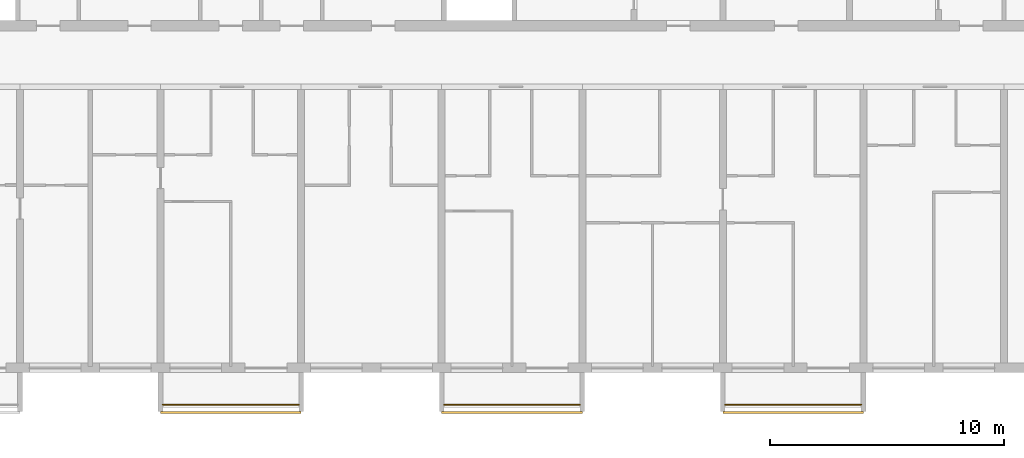
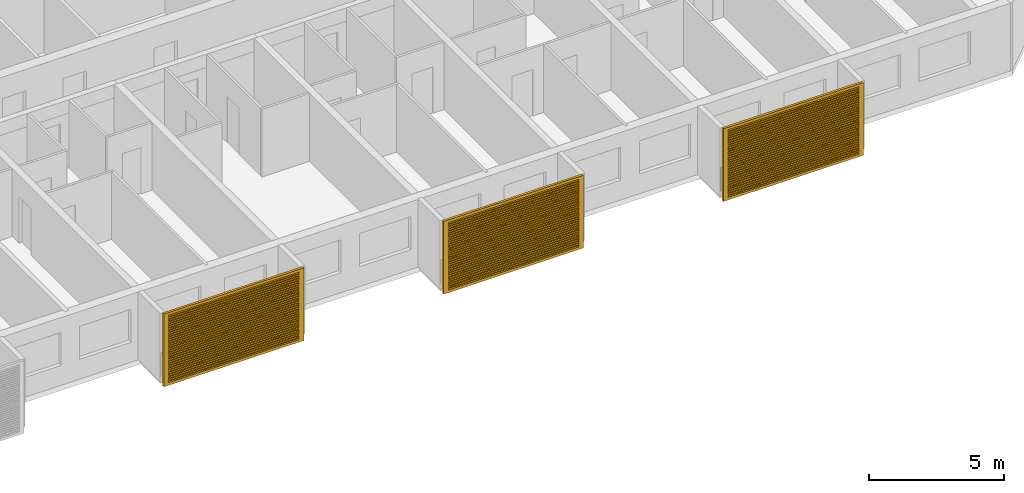
# One storey, part 15 of 32: 3 railings, 3 shading devices.
"""IFC4 building model written with IfcOpenShell, lengths in metres."""

from ifc_helpers import new_model, si_unit, direction, frame, origin, origin_2d, place, context, subcontext, project, spatial, polyline, circle, outline, extrude, source, transform, mapped, material, material_profile, profile_set, type_object, element, save


model = new_model("IFC4")

# Units and contexts
model_context = context("Model", 3, precision=1e-05, world=origin(), true_north=direction((0.0, 1.0)))
body_context = subcontext(model_context, "Body", "Model", "MODEL_VIEW")
ifc_project = project(units=[si_unit("LENGTHUNIT", "METRE"), si_unit("AREAUNIT", "SQUARE_METRE"), si_unit("VOLUMEUNIT", "CUBIC_METRE"), si_unit("PLANEANGLEUNIT", "RADIAN"), si_unit("MASSUNIT", "GRAM", prefix="KILO")], contexts=[model_context])

# Site, building, storey
site_placement = place(None, origin())
site = spatial("IfcSite", under=ifc_project, at=site_placement, CompositionType="ELEMENT")
building_placement = place(site_placement, origin())
building = spatial("IfcBuilding", under=site, at=building_placement, Name="Poui Terraces", CompositionType="ELEMENT")
storey_placement = place(building_placement, frame((0.0, 0.0, 125.699951171875)))
storey = spatial("IfcBuildingStorey", under=building, at=storey_placement, Name="L34", CompositionType="ELEMENT", Elevation=125.699951171875)

# Railings
ifc_material_1 = material(Name="Painted steel fretwork", Category="steel")
railing_type = type_object("IfcRailingType", Name="BALCONY GUARD 1100", PredefinedType="GUARDRAIL", material=ifc_material_1)
for number, where, name in (
    (1, (48.10009765625, -1.570068359375, 0.0), "BALCONY GUARD"),
    (2, (60.10009765625, -1.570068359375, 0.0), "BALCONY GUARD"),
    (3, (72.10009765625, -1.570068359375, 0.0), "BALCONY GUARD"),
):
    element("IfcRailing", number, at=place(storey_placement, frame(where)), inside=storey, type_object=railing_type, Name=name, PredefinedType="GUARDRAIL", context=body_context, shape_type="SweptSolid", body=[
        extrude(circle(Radius=0.02392578125, at=origin_2d()), frame((0.0, 0.0, 1.076171875), z_axis=(1.0, 0.0, 0.0), x_axis=(0.0, 1.0, 0.0)), (0.0, 0.0, 1.0), 5.7998046875),
        extrude(circle(Radius=0.02099609375, at=origin_2d()), origin(), (0.0, 0.0, 1.0), 1.052001953125),
        extrude(circle(Radius=0.02099609375, at=origin_2d()), frame((0.966552734375, 0.0, 0.0)), (0.0, 0.0, 1.0), 1.052001953125),
        extrude(circle(Radius=0.02099609375, at=origin_2d()), frame((1.933349609375, 0.0, 0.0)), (0.0, 0.0, 1.0), 1.052001953125),
        extrude(circle(Radius=0.02099609375, at=origin_2d()), frame((2.89990234375, 0.0, 0.0)), (0.0, 0.0, 1.0), 1.052001953125),
        extrude(circle(Radius=0.02099609375, at=origin_2d()), frame((3.866455078125, 0.0, 0.0)), (0.0, 0.0, 1.0), 1.052001953125),
        extrude(circle(Radius=0.02099609375, at=origin_2d()), frame((4.833251953125, 0.0, 0.0)), (0.0, 0.0, 1.0), 1.052001953125),
        extrude(circle(Radius=0.02099609375, at=origin_2d()), frame((5.7998046875, 0.0, 0.0)), (0.0, 0.0, 1.0), 1.052001953125),
    ])

# Shading devices
ifc_material_2 = material(Name="Aluminium louvre", Category="aluminium")
ifc_material_profile = material_profile(ifc_material_2, outline(polyline([(-3.0, -1.64990234375), (3.0, -1.64990234375), (3.0, 1.64990234375), (-3.0, 1.64990234375), (-3.0, -1.64990234375)]), holes=[polyline([(-2.800048828125, -1.530029296875), (2.800048828125, -1.530029296875), (2.800048828125, -1.469970703125), (-2.800048828125, -1.469970703125), (-2.800048828125, -1.530029296875)]), polyline([(-2.800048828125, -1.429931640625), (2.800048828125, -1.429931640625), (2.800048828125, -1.3701171875), (-2.800048828125, -1.3701171875), (-2.800048828125, -1.429931640625)]), polyline([(-2.800048828125, -1.330078125), (2.800048828125, -1.330078125), (2.800048828125, -1.27001953125), (-2.800048828125, -1.27001953125), (-2.800048828125, -1.330078125)]), polyline([(-2.800048828125, -1.22998046875), (2.800048828125, -1.22998046875), (2.800048828125, -1.169921875), (-2.800048828125, -1.169921875), (-2.800048828125, -1.22998046875)]), polyline([(-2.800048828125, -1.1298828125), (2.800048828125, -1.1298828125), (2.800048828125, -1.070068359375), (-2.800048828125, -1.070068359375), (-2.800048828125, -1.1298828125)]), polyline([(-2.800048828125, -1.030029296875), (2.800048828125, -1.030029296875), (2.800048828125, -0.969970703125), (-2.800048828125, -0.969970703125), (-2.800048828125, -1.030029296875)]), polyline([(-2.800048828125, -0.929931640625), (2.800048828125, -0.929931640625), (2.800048828125, -0.8701171875), (-2.800048828125, -0.8701171875), (-2.800048828125, -0.929931640625)]), polyline([(-2.800048828125, -0.830078125), (2.800048828125, -0.830078125), (2.800048828125, -0.77001953125), (-2.800048828125, -0.77001953125), (-2.800048828125, -0.830078125)]), polyline([(-2.800048828125, -0.72998046875), (2.800048828125, -0.72998046875), (2.800048828125, -0.669921875), (-2.800048828125, -0.669921875), (-2.800048828125, -0.72998046875)]), polyline([(-2.800048828125, -0.6298828125), (2.800048828125, -0.6298828125), (2.800048828125, -0.570068359375), (-2.800048828125, -0.570068359375), (-2.800048828125, -0.6298828125)]), polyline([(-2.800048828125, -0.530029296875), (2.800048828125, -0.530029296875), (2.800048828125, -0.469970703125), (-2.800048828125, -0.469970703125), (-2.800048828125, -0.530029296875)]), polyline([(-2.800048828125, -0.429931640625), (2.800048828125, -0.429931640625), (2.800048828125, -0.3701171875), (-2.800048828125, -0.3701171875), (-2.800048828125, -0.429931640625)]), polyline([(-2.800048828125, -0.330078125), (2.800048828125, -0.330078125), (2.800048828125, -0.27001953125), (-2.800048828125, -0.27001953125), (-2.800048828125, -0.330078125)]), polyline([(-2.800048828125, -0.22998046875), (2.800048828125, -0.22998046875), (2.800048828125, -0.169921875), (-2.800048828125, -0.169921875), (-2.800048828125, -0.22998046875)]), polyline([(-2.800048828125, -0.1298828125), (2.800048828125, -0.1298828125), (2.800048828125, -0.070068359375), (-2.800048828125, -0.070068359375), (-2.800048828125, -0.1298828125)]), polyline([(-2.800048828125, -0.030029296875), (2.800048828125, -0.030029296875), (2.800048828125, 0.030029296875), (-2.800048828125, 0.030029296875), (-2.800048828125, -0.030029296875)]), polyline([(-2.800048828125, 0.070068359375), (2.800048828125, 0.070068359375), (2.800048828125, 0.1298828125), (-2.800048828125, 0.1298828125), (-2.800048828125, 0.070068359375)]), polyline([(-2.800048828125, 0.169921875), (2.800048828125, 0.169921875), (2.800048828125, 0.22998046875), (-2.800048828125, 0.22998046875), (-2.800048828125, 0.169921875)]), polyline([(-2.800048828125, 0.27001953125), (2.800048828125, 0.27001953125), (2.800048828125, 0.330078125), (-2.800048828125, 0.330078125), (-2.800048828125, 0.27001953125)]), polyline([(-2.800048828125, 0.3701171875), (2.800048828125, 0.3701171875), (2.800048828125, 0.429931640625), (-2.800048828125, 0.429931640625), (-2.800048828125, 0.3701171875)]), polyline([(-2.800048828125, 0.469970703125), (2.800048828125, 0.469970703125), (2.800048828125, 0.530029296875), (-2.800048828125, 0.530029296875), (-2.800048828125, 0.469970703125)]), polyline([(-2.800048828125, 0.570068359375), (2.800048828125, 0.570068359375), (2.800048828125, 0.6298828125), (-2.800048828125, 0.6298828125), (-2.800048828125, 0.570068359375)]), polyline([(-2.800048828125, 0.669921875), (2.800048828125, 0.669921875), (2.800048828125, 0.72998046875), (-2.800048828125, 0.72998046875), (-2.800048828125, 0.669921875)]), polyline([(-2.800048828125, 0.77001953125), (2.800048828125, 0.77001953125), (2.800048828125, 0.830078125), (-2.800048828125, 0.830078125), (-2.800048828125, 0.77001953125)]), polyline([(-2.800048828125, 0.8701171875), (2.800048828125, 0.8701171875), (2.800048828125, 0.929931640625), (-2.800048828125, 0.929931640625), (-2.800048828125, 0.8701171875)]), polyline([(-2.800048828125, 0.969970703125), (2.800048828125, 0.969970703125), (2.800048828125, 1.030029296875), (-2.800048828125, 1.030029296875), (-2.800048828125, 0.969970703125)]), polyline([(-2.800048828125, 1.070068359375), (2.800048828125, 1.070068359375), (2.800048828125, 1.1298828125), (-2.800048828125, 1.1298828125), (-2.800048828125, 1.070068359375)]), polyline([(-2.800048828125, 1.169921875), (2.800048828125, 1.169921875), (2.800048828125, 1.22998046875), (-2.800048828125, 1.22998046875), (-2.800048828125, 1.169921875)]), polyline([(-2.800048828125, 1.27001953125), (2.800048828125, 1.27001953125), (2.800048828125, 1.330078125), (-2.800048828125, 1.330078125), (-2.800048828125, 1.27001953125)]), polyline([(-2.800048828125, 1.3701171875), (2.800048828125, 1.3701171875), (2.800048828125, 1.429931640625), (-2.800048828125, 1.429931640625), (-2.800048828125, 1.3701171875)]), polyline([(-2.800048828125, 1.469970703125), (2.800048828125, 1.469970703125), (2.800048828125, 1.530029296875), (-2.800048828125, 1.530029296875), (-2.800048828125, 1.469970703125)])]), Name="JALOUSIE LOUVRE SHUTTER 6000X3300")
ifc_profile_set = profile_set([ifc_material_profile], Name="Aluminium louvre")
shading_device_type = type_object("IfcShadingDeviceType", Name="JALOUSIE LOUVRE SHUTTER 6000X3300", PredefinedType="JALOUSIE", material=ifc_profile_set)
shared_shape = source(origin(), body_context, "Body", "SweptSolid", [
    extrude(outline(polyline([(-3.0, -1.64990234375), (3.0, -1.64990234375), (3.0, 1.64990234375), (-3.0, 1.64990234375), (-3.0, -1.64990234375)]), holes=[polyline([(-2.800048828125, -1.530029296875), (2.800048828125, -1.530029296875), (2.800048828125, -1.469970703125), (-2.800048828125, -1.469970703125), (-2.800048828125, -1.530029296875)]), polyline([(-2.800048828125, -1.429931640625), (2.800048828125, -1.429931640625), (2.800048828125, -1.3701171875), (-2.800048828125, -1.3701171875), (-2.800048828125, -1.429931640625)]), polyline([(-2.800048828125, -1.330078125), (2.800048828125, -1.330078125), (2.800048828125, -1.27001953125), (-2.800048828125, -1.27001953125), (-2.800048828125, -1.330078125)]), polyline([(-2.800048828125, -1.22998046875), (2.800048828125, -1.22998046875), (2.800048828125, -1.169921875), (-2.800048828125, -1.169921875), (-2.800048828125, -1.22998046875)]), polyline([(-2.800048828125, -1.1298828125), (2.800048828125, -1.1298828125), (2.800048828125, -1.070068359375), (-2.800048828125, -1.070068359375), (-2.800048828125, -1.1298828125)]), polyline([(-2.800048828125, -1.030029296875), (2.800048828125, -1.030029296875), (2.800048828125, -0.969970703125), (-2.800048828125, -0.969970703125), (-2.800048828125, -1.030029296875)]), polyline([(-2.800048828125, -0.929931640625), (2.800048828125, -0.929931640625), (2.800048828125, -0.8701171875), (-2.800048828125, -0.8701171875), (-2.800048828125, -0.929931640625)]), polyline([(-2.800048828125, -0.830078125), (2.800048828125, -0.830078125), (2.800048828125, -0.77001953125), (-2.800048828125, -0.77001953125), (-2.800048828125, -0.830078125)]), polyline([(-2.800048828125, -0.72998046875), (2.800048828125, -0.72998046875), (2.800048828125, -0.669921875), (-2.800048828125, -0.669921875), (-2.800048828125, -0.72998046875)]), polyline([(-2.800048828125, -0.6298828125), (2.800048828125, -0.6298828125), (2.800048828125, -0.570068359375), (-2.800048828125, -0.570068359375), (-2.800048828125, -0.6298828125)]), polyline([(-2.800048828125, -0.530029296875), (2.800048828125, -0.530029296875), (2.800048828125, -0.469970703125), (-2.800048828125, -0.469970703125), (-2.800048828125, -0.530029296875)]), polyline([(-2.800048828125, -0.429931640625), (2.800048828125, -0.429931640625), (2.800048828125, -0.3701171875), (-2.800048828125, -0.3701171875), (-2.800048828125, -0.429931640625)]), polyline([(-2.800048828125, -0.330078125), (2.800048828125, -0.330078125), (2.800048828125, -0.27001953125), (-2.800048828125, -0.27001953125), (-2.800048828125, -0.330078125)]), polyline([(-2.800048828125, -0.22998046875), (2.800048828125, -0.22998046875), (2.800048828125, -0.169921875), (-2.800048828125, -0.169921875), (-2.800048828125, -0.22998046875)]), polyline([(-2.800048828125, -0.1298828125), (2.800048828125, -0.1298828125), (2.800048828125, -0.070068359375), (-2.800048828125, -0.070068359375), (-2.800048828125, -0.1298828125)]), polyline([(-2.800048828125, -0.030029296875), (2.800048828125, -0.030029296875), (2.800048828125, 0.030029296875), (-2.800048828125, 0.030029296875), (-2.800048828125, -0.030029296875)]), polyline([(-2.800048828125, 0.070068359375), (2.800048828125, 0.070068359375), (2.800048828125, 0.1298828125), (-2.800048828125, 0.1298828125), (-2.800048828125, 0.070068359375)]), polyline([(-2.800048828125, 0.169921875), (2.800048828125, 0.169921875), (2.800048828125, 0.22998046875), (-2.800048828125, 0.22998046875), (-2.800048828125, 0.169921875)]), polyline([(-2.800048828125, 0.27001953125), (2.800048828125, 0.27001953125), (2.800048828125, 0.330078125), (-2.800048828125, 0.330078125), (-2.800048828125, 0.27001953125)]), polyline([(-2.800048828125, 0.3701171875), (2.800048828125, 0.3701171875), (2.800048828125, 0.429931640625), (-2.800048828125, 0.429931640625), (-2.800048828125, 0.3701171875)]), polyline([(-2.800048828125, 0.469970703125), (2.800048828125, 0.469970703125), (2.800048828125, 0.530029296875), (-2.800048828125, 0.530029296875), (-2.800048828125, 0.469970703125)]), polyline([(-2.800048828125, 0.570068359375), (2.800048828125, 0.570068359375), (2.800048828125, 0.6298828125), (-2.800048828125, 0.6298828125), (-2.800048828125, 0.570068359375)]), polyline([(-2.800048828125, 0.669921875), (2.800048828125, 0.669921875), (2.800048828125, 0.72998046875), (-2.800048828125, 0.72998046875), (-2.800048828125, 0.669921875)]), polyline([(-2.800048828125, 0.77001953125), (2.800048828125, 0.77001953125), (2.800048828125, 0.830078125), (-2.800048828125, 0.830078125), (-2.800048828125, 0.77001953125)]), polyline([(-2.800048828125, 0.8701171875), (2.800048828125, 0.8701171875), (2.800048828125, 0.929931640625), (-2.800048828125, 0.929931640625), (-2.800048828125, 0.8701171875)]), polyline([(-2.800048828125, 0.969970703125), (2.800048828125, 0.969970703125), (2.800048828125, 1.030029296875), (-2.800048828125, 1.030029296875), (-2.800048828125, 0.969970703125)]), polyline([(-2.800048828125, 1.070068359375), (2.800048828125, 1.070068359375), (2.800048828125, 1.1298828125), (-2.800048828125, 1.1298828125), (-2.800048828125, 1.070068359375)]), polyline([(-2.800048828125, 1.169921875), (2.800048828125, 1.169921875), (2.800048828125, 1.22998046875), (-2.800048828125, 1.22998046875), (-2.800048828125, 1.169921875)]), polyline([(-2.800048828125, 1.27001953125), (2.800048828125, 1.27001953125), (2.800048828125, 1.330078125), (-2.800048828125, 1.330078125), (-2.800048828125, 1.27001953125)]), polyline([(-2.800048828125, 1.3701171875), (2.800048828125, 1.3701171875), (2.800048828125, 1.429931640625), (-2.800048828125, 1.429931640625), (-2.800048828125, 1.3701171875)]), polyline([(-2.800048828125, 1.469970703125), (2.800048828125, 1.469970703125), (2.800048828125, 1.530029296875), (-2.800048828125, 1.530029296875), (-2.800048828125, 1.469970703125)])]), origin(), (0.0, 0.0, 1.0), 0.099853515625),
])
for number, where, z_axis, x_axis, name in (
    (4, (51.0, -1.85009765625, 1.449951171875), (0.0, -1.0, 0.0), (1.0, 0.0, 0.0), "JALOUSIE LOUVRE SHUTTER"),
    (5, (63.0, -1.85009765625, 1.449951171875), (0.0, -1.0, 0.0), (1.0, 0.0, 0.0), "JALOUSIE LOUVRE SHUTTER"),
    (6, (75.0, -1.85009765625, 1.449951171875), (0.0, -1.0, 0.0), (1.0, 0.0, 0.0), "JALOUSIE LOUVRE SHUTTER"),
):
    element("IfcShadingDevice", number, at=place(storey_placement, frame(where, z_axis=z_axis, x_axis=x_axis)), inside=storey, type_object=shading_device_type, Name=name, PredefinedType="JALOUSIE", context=body_context, shape_type="MappedRepresentation", body=[
        mapped(shared_shape, transform((0.0, 0.0, 0.0))),
    ])

save(model, "model.ifc")
